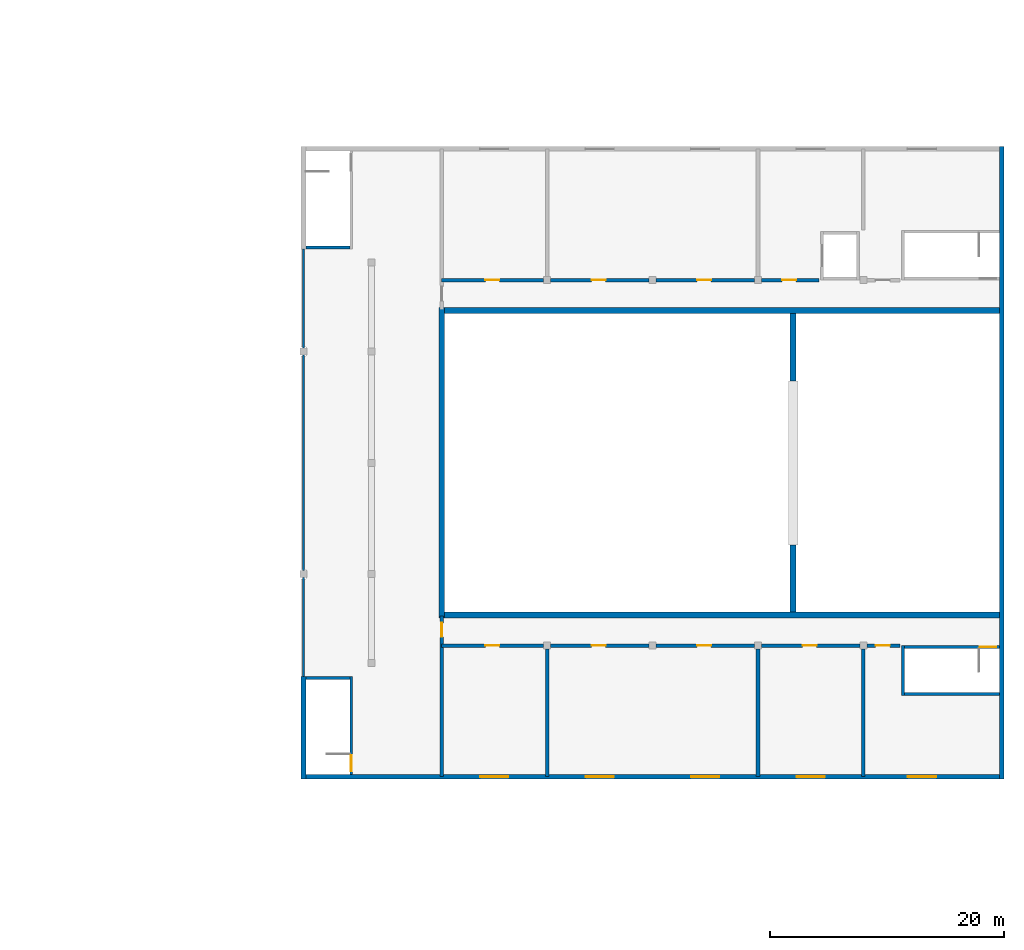
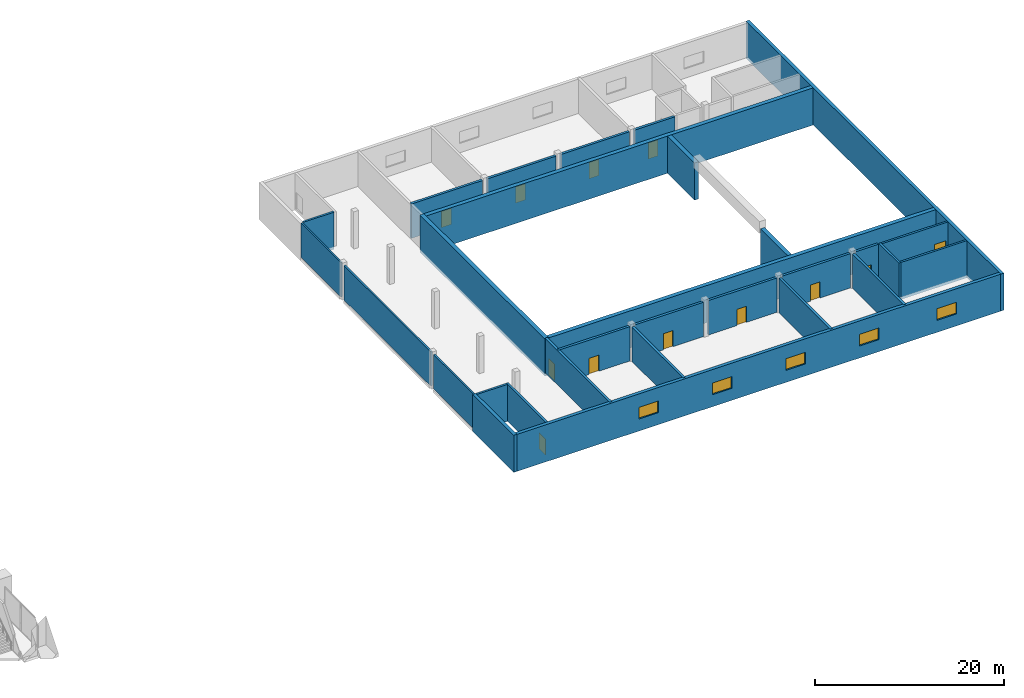
# One storey, part 19 of 31: 30 walls, 12 doors, 5 windows, 17 openings.
"""IFC4 building model written with IfcOpenShell, lengths in metres."""

from ifc_helpers import new_model, si_unit, direction, frame, frame_2d, origin, place, context, subcontext, project, spatial, rectangle, extrude, material, layer, layer_set, type_object, element, fill, save


model = new_model("IFC4")

# Units and contexts
model_context = context("Model", 3, precision=1e-05, world=origin(), true_north=direction((0.0, 1.0)))
body_context = subcontext(model_context, "Body", "Model", "MODEL_VIEW")
ifc_project = project(units=[si_unit("LENGTHUNIT", "METRE"), si_unit("AREAUNIT", "SQUARE_METRE"), si_unit("VOLUMEUNIT", "CUBIC_METRE"), si_unit("PLANEANGLEUNIT", "RADIAN"), si_unit("MASSUNIT", "GRAM", prefix="KILO")], contexts=[model_context])

# Site, building, storey
site_placement = place(None, origin())
site = spatial("IfcSite", under=ifc_project, at=site_placement, CompositionType="ELEMENT")
building_placement = place(site_placement, origin())
building = spatial("IfcBuilding", under=site, at=building_placement, Name="Hunhe Ridgeline Campus", CompositionType="ELEMENT")
storey_placement = place(building_placement, frame((0.0, 0.0, 16.800048828125)))
storey = spatial("IfcBuildingStorey", under=building, at=storey_placement, Name="L03", CompositionType="ELEMENT", Elevation=16.800048828125)

# Walls
ifc_material_1 = material(Name="Concrete C50", Category="concrete")
ifc_layer_1 = layer(ifc_material_1, 0.5)
ifc_layer_set_1 = layer_set([ifc_layer_1], Name="Auditorium RC wall 500 C50")
wall_type_1 = type_object("IfcWallType", Name="Auditorium RC wall 500 C50", PredefinedType="SOLIDWALL", material=ifc_layer_set_1)
wall_1_placement = place(storey_placement, frame((162.0, 36.25, -0.35009765625), z_axis=(0.0, 0.0, 1.0), x_axis=(0.0, 1.0, 0.0)))
element("IfcWall", 1, at=wall_1_placement, inside=storey, type_object=wall_type_1, Name="Auditorium RC wall L03", PredefinedType="SOLIDWALL", context=body_context, shape_type="SweptSolid", body=[
    extrude(rectangle(XDim=26.5, YDim=0.5, at=frame_2d((13.25, 0.0))), origin(), (0.0, 0.0, 1.0), 4.800048828125),
])
for number, where, z_axis, x_axis, name in (
    (2, (209.60009765625, 36.5, -0.35009765625), (0.0, 0.0, 1.0), (-1.0, 0.0, 0.0), "Auditorium RC wall L03"),
    (3, (162.25, 62.5, -0.35009765625), (0.0, 0.0, 1.0), (1.0, 0.0, 0.0), "Auditorium RC wall L03"),
):
    element("IfcWall", number, at=place(storey_placement, frame(where, z_axis=z_axis, x_axis=x_axis)), inside=storey, type_object=wall_type_1, Name=name, PredefinedType="SOLIDWALL", context=body_context, shape_type="SweptSolid", body=[
        extrude(rectangle(XDim=47.35009765625, YDim=0.5, at=frame_2d((23.675048828125, 0.0))), origin(), (0.0, 0.0, 1.0), 4.800048828125),
    ])
for number, where, z_axis, x_axis, name in (
    (4, (192.0, 36.75, -0.35009765625), (0.0, 0.0, 1.0), (0.0, 1.0, 0.0), "Auditorium RC wall L03"),
    (5, (192.0, 56.5, -0.35009765625), (0.0, 0.0, 1.0), (0.0, 1.0, 0.0), "Auditorium RC wall L03"),
):
    element("IfcWall", number, at=place(storey_placement, frame(where, z_axis=z_axis, x_axis=x_axis)), inside=storey, type_object=wall_type_1, Name=name, PredefinedType="SOLIDWALL", context=body_context, shape_type="SweptSolid", body=[
        extrude(rectangle(XDim=5.75, YDim=0.5, at=frame_2d((2.875, 0.0))), origin(), (0.0, 0.0, 1.0), 4.800048828125),
    ])

# Wall, opening, door
ifc_material_2 = material(Name="Plastered blockwork", Category="masonry")
ifc_layer_2 = layer(ifc_material_2, 0.300048828125)
ifc_layer_set_2 = layer_set([ifc_layer_2], Name="Hall blockwork partition 300")
wall_type_2 = type_object("IfcWallType", Name="Hall blockwork partition 300", PredefinedType="PARTITIONING", material=ifc_layer_set_2)
wall_2_placement = place(storey_placement, frame((162.0, 22.72998046875, 0.0), z_axis=(0.0, 0.0, 1.0), x_axis=(0.0, 1.0, 0.0)))
wall_2 = element("IfcWall", 6, at=wall_2_placement, inside=storey, type_object=wall_type_2, Name="L03 partition", PredefinedType="PARTITIONING", context=body_context, shape_type="SweptSolid", body=[
    extrude(rectangle(XDim=13.68994140625, YDim=0.300048828125, at=frame_2d((6.844970703125, 0.0))), origin(), (0.0, 0.0, 1.0), 4.449951171875),
])
opening_1_placement = place(wall_2_placement, frame((11.89990234375, 0.0, 0.0)))
opening_1 = element("IfcOpeningElement", 7, at=opening_1_placement, cuts=wall_2, Name="Opening HD45", PredefinedType="OPENING", context=body_context, shape_type="SweptSolid", body=[
    extrude(rectangle(XDim=1.199951171875, YDim=2.10009765625, at=frame_2d((0.60009765625, 1.050048828125))), frame((0.0, 0.14990234375, 0.0), z_axis=(0.0, -1.0, 0.0), x_axis=(1.0, 0.0, 0.0)), (0.0, 0.0, 1.0), 0.300048828125),
])
ifc_material_3 = material(Name="Steel Q235", Category="steel")
door_type_1 = type_object("IfcDoorType", Name="Hall fire door 1200x2100 FD60", OperationType="NOTDEFINED", PredefinedType="DOOR", material=ifc_material_3)
door_1_placement = place(opening_1_placement, origin())
door_1 = element("IfcDoor", 8, at=door_1_placement, inside=storey, type_object=door_type_1, Name="Foyer plant room door", OperationType="SINGLE_SWING_RIGHT", OverallHeight=2.10009765625, OverallWidth=1.199951171875, PredefinedType="DOOR", context=body_context, shape_type="SweptSolid", body=[
    extrude(rectangle(XDim=1.199951171875, YDim=2.10009765625, at=frame_2d((0.60009765625, 1.050048828125))), frame((0.0, 0.02490234375, 0.0), z_axis=(0.0, -1.0, 0.0), x_axis=(1.0, 0.0, 0.0)), (0.0, 0.0, 1.0), 0.050048828125),
])
fill(opening_1, door_1)

# Wall
wall_3_placement = place(storey_placement, frame((171.0, 22.72998046875, 0.0), z_axis=(0.0, 0.0, 1.0), x_axis=(0.0, 1.0, 0.0)))
element("IfcWall", 9, at=wall_3_placement, inside=storey, type_object=wall_type_2, Name="L03 partition", PredefinedType="PARTITIONING", context=body_context, shape_type="SweptSolid", body=[
    extrude(rectangle(XDim=10.8701171875, YDim=0.300048828125, at=frame_2d((5.43505859375, 0.0))), origin(), (0.0, 0.0, 1.0), 4.449951171875),
])

# Wall, opening, door
wall_4_placement = place(storey_placement, frame((161.97998046875, 33.89990234375, 0.0), z_axis=(0.0, 0.0, 1.0), x_axis=(1.0, 0.0, 0.0)))
wall_4 = element("IfcWall", 10, at=wall_4_placement, inside=storey, type_object=wall_type_2, Name="L03 partition", PredefinedType="PARTITIONING", context=body_context, shape_type="SweptSolid", body=[
    extrude(rectangle(XDim=8.719970703125, YDim=0.300048828125, at=frame_2d((4.35986328125, 0.0))), origin(), (0.0, 0.0, 1.0), 4.449951171875),
])
opening_2_placement = place(wall_4_placement, frame((3.75, 0.0, 0.0)))
opening_2 = element("IfcOpeningElement", 11, at=opening_2_placement, cuts=wall_4, Name="Opening HD47", PredefinedType="OPENING", context=body_context, shape_type="SweptSolid", body=[
    extrude(rectangle(XDim=1.199951171875, YDim=2.10009765625, at=frame_2d((0.60009765625, 1.050048828125))), frame((0.0, 0.14990234375, 0.0), z_axis=(0.0, -1.0, 0.0), x_axis=(1.0, 0.0, 0.0)), (0.0, 0.0, 1.0), 0.300048828125),
])
door_2_placement = place(opening_2_placement, origin())
door_2 = element("IfcDoor", 12, at=door_2_placement, inside=storey, type_object=door_type_1, Name="Air handling plant room door", OperationType="SINGLE_SWING_LEFT", OverallHeight=2.10009765625, OverallWidth=1.199951171875, PredefinedType="DOOR", context=body_context, shape_type="SweptSolid", body=[
    extrude(rectangle(XDim=1.199951171875, YDim=2.10009765625, at=frame_2d((0.60009765625, 1.050048828125))), frame((0.0, 0.02490234375, 0.0), z_axis=(0.0, -1.0, 0.0), x_axis=(1.0, 0.0, 0.0)), (0.0, 0.0, 1.0), 0.050048828125),
])
fill(opening_2, door_2)

wall_5_placement = place(storey_placement, frame((171.300048828125, 33.89990234375, 0.0), z_axis=(0.0, 0.0, 1.0), x_axis=(1.0, 0.0, 0.0)))
wall_5 = element("IfcWall", 13, at=wall_5_placement, inside=storey, type_object=wall_type_2, Name="L03 partition", PredefinedType="PARTITIONING", context=body_context, shape_type="SweptSolid", body=[
    extrude(rectangle(XDim=8.39990234375, YDim=0.300048828125, at=frame_2d((4.199951171875, 0.0))), origin(), (0.0, 0.0, 1.0), 4.449951171875),
])
opening_3_placement = place(wall_5_placement, frame((3.5, 0.0, 0.0)))
opening_3 = element("IfcOpeningElement", 14, at=opening_3_placement, cuts=wall_5, Name="Opening HD48", PredefinedType="OPENING", context=body_context, shape_type="SweptSolid", body=[
    extrude(rectangle(XDim=1.199951171875, YDim=2.10009765625, at=frame_2d((0.60009765625, 1.050048828125))), frame((0.0, 0.14990234375, 0.0), z_axis=(0.0, -1.0, 0.0), x_axis=(1.0, 0.0, 0.0)), (0.0, 0.0, 1.0), 0.300048828125),
])
door_3_placement = place(opening_3_placement, origin())
door_3 = element("IfcDoor", 15, at=door_3_placement, inside=storey, type_object=door_type_1, Name="Boiler and chiller plant room door", OperationType="SINGLE_SWING_LEFT", OverallHeight=2.10009765625, OverallWidth=1.199951171875, PredefinedType="DOOR", context=body_context, shape_type="SweptSolid", body=[
    extrude(rectangle(XDim=1.199951171875, YDim=2.10009765625, at=frame_2d((0.60009765625, 1.050048828125))), frame((0.0, 0.02490234375, 0.0), z_axis=(0.0, -1.0, 0.0), x_axis=(1.0, 0.0, 0.0)), (0.0, 0.0, 1.0), 0.050048828125),
])
fill(opening_3, door_3)

wall_6_placement = place(storey_placement, frame((180.300048828125, 33.89990234375, 0.0), z_axis=(0.0, 0.0, 1.0), x_axis=(1.0, 0.0, 0.0)))
wall_6 = element("IfcWall", 16, at=wall_6_placement, inside=storey, type_object=wall_type_2, Name="L03 partition", PredefinedType="PARTITIONING", context=body_context, shape_type="SweptSolid", body=[
    extrude(rectangle(XDim=8.39990234375, YDim=0.300048828125, at=frame_2d((4.199951171875, 0.0))), origin(), (0.0, 0.0, 1.0), 4.449951171875),
])
opening_4_placement = place(wall_6_placement, frame((3.5, 0.0, 0.0)))
opening_4 = element("IfcOpeningElement", 17, at=opening_4_placement, cuts=wall_6, Name="Opening HD49", PredefinedType="OPENING", context=body_context, shape_type="SweptSolid", body=[
    extrude(rectangle(XDim=1.199951171875, YDim=2.10009765625, at=frame_2d((0.60009765625, 1.050048828125))), frame((0.0, 0.14990234375, 0.0), z_axis=(0.0, -1.0, 0.0), x_axis=(1.0, 0.0, 0.0)), (0.0, 0.0, 1.0), 0.300048828125),
])
door_4_placement = place(opening_4_placement, origin())
door_4 = element("IfcDoor", 18, at=door_4_placement, inside=storey, type_object=door_type_1, Name="Boiler and chiller plant room door", OperationType="SINGLE_SWING_LEFT", OverallHeight=2.10009765625, OverallWidth=1.199951171875, PredefinedType="DOOR", context=body_context, shape_type="SweptSolid", body=[
    extrude(rectangle(XDim=1.199951171875, YDim=2.10009765625, at=frame_2d((0.60009765625, 1.050048828125))), frame((0.0, 0.02490234375, 0.0), z_axis=(0.0, -1.0, 0.0), x_axis=(1.0, 0.0, 0.0)), (0.0, 0.0, 1.0), 0.050048828125),
])
fill(opening_4, door_4)

wall_7_placement = place(storey_placement, frame((189.300048828125, 33.89990234375, 0.0), z_axis=(0.0, 0.0, 1.0), x_axis=(1.0, 0.0, 0.0)))
wall_7 = element("IfcWall", 19, at=wall_7_placement, inside=storey, type_object=wall_type_2, Name="L03 partition", PredefinedType="PARTITIONING", context=body_context, shape_type="SweptSolid", body=[
    extrude(rectangle(XDim=8.39990234375, YDim=0.300048828125, at=frame_2d((4.199951171875, 0.0))), origin(), (0.0, 0.0, 1.0), 4.449951171875),
])
opening_5_placement = place(wall_7_placement, frame((3.5, 0.0, 0.0)))
opening_5 = element("IfcOpeningElement", 20, at=opening_5_placement, cuts=wall_7, Name="Opening HD50", PredefinedType="OPENING", context=body_context, shape_type="SweptSolid", body=[
    extrude(rectangle(XDim=1.199951171875, YDim=2.10009765625, at=frame_2d((0.60009765625, 1.050048828125))), frame((0.0, 0.14990234375, 0.0), z_axis=(0.0, -1.0, 0.0), x_axis=(1.0, 0.0, 0.0)), (0.0, 0.0, 1.0), 0.300048828125),
])
door_5_placement = place(opening_5_placement, origin())
door_5 = element("IfcDoor", 21, at=door_5_placement, inside=storey, type_object=door_type_1, Name="Electrical switch room door", OperationType="SINGLE_SWING_LEFT", OverallHeight=2.10009765625, OverallWidth=1.199951171875, PredefinedType="DOOR", context=body_context, shape_type="SweptSolid", body=[
    extrude(rectangle(XDim=1.199951171875, YDim=2.10009765625, at=frame_2d((0.60009765625, 1.050048828125))), frame((0.0, 0.02490234375, 0.0), z_axis=(0.0, -1.0, 0.0), x_axis=(1.0, 0.0, 0.0)), (0.0, 0.0, 1.0), 0.050048828125),
])
fill(opening_5, door_5)

wall_8_placement = place(storey_placement, frame((198.300048828125, 33.89990234375, 0.0), z_axis=(0.0, 0.0, 1.0), x_axis=(1.0, 0.0, 0.0)))
wall_8 = element("IfcWall", 22, at=wall_8_placement, inside=storey, type_object=wall_type_2, Name="L03 partition", PredefinedType="PARTITIONING", context=body_context, shape_type="SweptSolid", body=[
    extrude(rectangle(XDim=2.820068359375, YDim=0.300048828125, at=frame_2d((1.41015625, 0.0))), origin(), (0.0, 0.0, 1.0), 4.449951171875),
])
opening_6_placement = place(wall_8_placement, frame((0.75, 0.0, 0.0)))
opening_6 = element("IfcOpeningElement", 23, at=opening_6_placement, cuts=wall_8, Name="Opening HD51", PredefinedType="OPENING", context=body_context, shape_type="SweptSolid", body=[
    extrude(rectangle(XDim=1.199951171875, YDim=2.10009765625, at=frame_2d((0.60009765625, 1.050048828125))), frame((0.0, 0.14990234375, 0.0), z_axis=(0.0, -1.0, 0.0), x_axis=(1.0, 0.0, 0.0)), (0.0, 0.0, 1.0), 0.300048828125),
])
door_6_placement = place(opening_6_placement, origin())
door_6 = element("IfcDoor", 24, at=door_6_placement, inside=storey, type_object=door_type_1, Name="Smoke extract plant room door", OperationType="SINGLE_SWING_LEFT", OverallHeight=2.10009765625, OverallWidth=1.199951171875, PredefinedType="DOOR", context=body_context, shape_type="SweptSolid", body=[
    extrude(rectangle(XDim=1.199951171875, YDim=2.10009765625, at=frame_2d((0.60009765625, 1.050048828125))), frame((0.0, 0.02490234375, 0.0), z_axis=(0.0, -1.0, 0.0), x_axis=(1.0, 0.0, 0.0)), (0.0, 0.0, 1.0), 0.050048828125),
])
fill(opening_6, door_6)

# Walls
for number, where, z_axis, x_axis, name in (
    (25, (189.0, 22.72998046875, 0.0), (0.0, 0.0, 1.0), (0.0, 1.0, 0.0), "L03 partition"),
    (26, (198.0, 22.72998046875, 0.0), (0.0, 0.0, 1.0), (0.0, 1.0, 0.0), "L03 partition"),
):
    element("IfcWall", number, at=place(storey_placement, frame(where, z_axis=z_axis, x_axis=x_axis)), inside=storey, type_object=wall_type_2, Name=name, PredefinedType="PARTITIONING", context=body_context, shape_type="SweptSolid", body=[
        extrude(rectangle(XDim=10.8701171875, YDim=0.300048828125, at=frame_2d((5.43505859375, 0.0))), origin(), (0.0, 0.0, 1.0), 4.449951171875),
    ])

# Wall, opening, door
wall_9_placement = place(storey_placement, frame((170.699951171875, 65.10009765625, 0.0), z_axis=(0.0, 0.0, 1.0), x_axis=(-1.0, 0.0, 0.0)))
wall_9 = element("IfcWall", 27, at=wall_9_placement, inside=storey, type_object=wall_type_2, Name="L03 partition", PredefinedType="PARTITIONING", context=body_context, shape_type="SweptSolid", body=[
    extrude(rectangle(XDim=8.719970703125, YDim=0.300048828125, at=frame_2d((4.35986328125, 0.0))), origin(), (0.0, 0.0, 1.0), 4.449951171875),
])
opening_7_placement = place(wall_9_placement, frame((3.77001953125, 0.0, 0.0)))
opening_7 = element("IfcOpeningElement", 28, at=opening_7_placement, cuts=wall_9, Name="Opening HD52", PredefinedType="OPENING", context=body_context, shape_type="SweptSolid", body=[
    extrude(rectangle(XDim=1.199951171875, YDim=2.10009765625, at=frame_2d((0.60009765625, 1.050048828125))), frame((0.0, 0.14990234375, 0.0), z_axis=(0.0, -1.0, 0.0), x_axis=(1.0, 0.0, 0.0)), (0.0, 0.0, 1.0), 0.300048828125),
])
door_7_placement = place(opening_7_placement, origin())
door_7 = element("IfcDoor", 29, at=door_7_placement, inside=storey, type_object=door_type_1, Name="Auditorium ventilation plant room door", OperationType="SINGLE_SWING_RIGHT", OverallHeight=2.10009765625, OverallWidth=1.199951171875, PredefinedType="DOOR", context=body_context, shape_type="SweptSolid", body=[
    extrude(rectangle(XDim=1.199951171875, YDim=2.10009765625, at=frame_2d((0.60009765625, 1.050048828125))), frame((0.0, 0.02490234375, 0.0), z_axis=(0.0, -1.0, 0.0), x_axis=(1.0, 0.0, 0.0)), (0.0, 0.0, 1.0), 0.050048828125),
])
fill(opening_7, door_7)

wall_10_placement = place(storey_placement, frame((179.699951171875, 65.10009765625, 0.0), z_axis=(0.0, 0.0, 1.0), x_axis=(-1.0, 0.0, 0.0)))
wall_10 = element("IfcWall", 30, at=wall_10_placement, inside=storey, type_object=wall_type_2, Name="L03 partition", PredefinedType="PARTITIONING", context=body_context, shape_type="SweptSolid", body=[
    extrude(rectangle(XDim=8.39990234375, YDim=0.300048828125, at=frame_2d((4.199951171875, 0.0))), origin(), (0.0, 0.0, 1.0), 4.449951171875),
])
opening_8_placement = place(wall_10_placement, frame((3.699951171875, 0.0, 0.0)))
opening_8 = element("IfcOpeningElement", 31, at=opening_8_placement, cuts=wall_10, Name="Opening HD53", PredefinedType="OPENING", context=body_context, shape_type="SweptSolid", body=[
    extrude(rectangle(XDim=1.199951171875, YDim=2.10009765625, at=frame_2d((0.60009765625, 1.050048828125))), frame((0.0, 0.14990234375, 0.0), z_axis=(0.0, -1.0, 0.0), x_axis=(1.0, 0.0, 0.0)), (0.0, 0.0, 1.0), 0.300048828125),
])
door_8_placement = place(opening_8_placement, origin())
door_8 = element("IfcDoor", 32, at=door_8_placement, inside=storey, type_object=door_type_1, Name="Fan and ductwork plant room door", OperationType="SINGLE_SWING_RIGHT", OverallHeight=2.10009765625, OverallWidth=1.199951171875, PredefinedType="DOOR", context=body_context, shape_type="SweptSolid", body=[
    extrude(rectangle(XDim=1.199951171875, YDim=2.10009765625, at=frame_2d((0.60009765625, 1.050048828125))), frame((0.0, 0.02490234375, 0.0), z_axis=(0.0, -1.0, 0.0), x_axis=(1.0, 0.0, 0.0)), (0.0, 0.0, 1.0), 0.050048828125),
])
fill(opening_8, door_8)

wall_11_placement = place(storey_placement, frame((188.699951171875, 65.10009765625, 0.0), z_axis=(0.0, 0.0, 1.0), x_axis=(-1.0, 0.0, 0.0)))
wall_11 = element("IfcWall", 33, at=wall_11_placement, inside=storey, type_object=wall_type_2, Name="L03 partition", PredefinedType="PARTITIONING", context=body_context, shape_type="SweptSolid", body=[
    extrude(rectangle(XDim=8.39990234375, YDim=0.300048828125, at=frame_2d((4.199951171875, 0.0))), origin(), (0.0, 0.0, 1.0), 4.449951171875),
])
opening_9_placement = place(wall_11_placement, frame((3.699951171875, 0.0, 0.0)))
opening_9 = element("IfcOpeningElement", 34, at=opening_9_placement, cuts=wall_11, Name="Opening HD54", PredefinedType="OPENING", context=body_context, shape_type="SweptSolid", body=[
    extrude(rectangle(XDim=1.199951171875, YDim=2.10009765625, at=frame_2d((0.60009765625, 1.050048828125))), frame((0.0, 0.14990234375, 0.0), z_axis=(0.0, -1.0, 0.0), x_axis=(1.0, 0.0, 0.0)), (0.0, 0.0, 1.0), 0.300048828125),
])
door_9_placement = place(opening_9_placement, origin())
door_9 = element("IfcDoor", 35, at=door_9_placement, inside=storey, type_object=door_type_1, Name="Fan and ductwork plant room door", OperationType="SINGLE_SWING_RIGHT", OverallHeight=2.10009765625, OverallWidth=1.199951171875, PredefinedType="DOOR", context=body_context, shape_type="SweptSolid", body=[
    extrude(rectangle(XDim=1.199951171875, YDim=2.10009765625, at=frame_2d((0.60009765625, 1.050048828125))), frame((0.0, 0.02490234375, 0.0), z_axis=(0.0, -1.0, 0.0), x_axis=(1.0, 0.0, 0.0)), (0.0, 0.0, 1.0), 0.050048828125),
])
fill(opening_9, door_9)

wall_12_placement = place(storey_placement, frame((194.219970703125, 65.10009765625, 0.0), z_axis=(0.0, 0.0, 1.0), x_axis=(-1.0, 0.0, 0.0)))
wall_12 = element("IfcWall", 36, at=wall_12_placement, inside=storey, type_object=wall_type_2, Name="L03 partition", PredefinedType="PARTITIONING", context=body_context, shape_type="SweptSolid", body=[
    extrude(rectangle(XDim=4.919921875, YDim=0.300048828125, at=frame_2d((2.4599609375, 0.0))), origin(), (0.0, 0.0, 1.0), 4.449951171875),
])
opening_10_placement = place(wall_12_placement, frame((1.969970703125, 0.0, 0.0)))
opening_10 = element("IfcOpeningElement", 37, at=opening_10_placement, cuts=wall_12, Name="Opening HD55", PredefinedType="OPENING", context=body_context, shape_type="SweptSolid", body=[
    extrude(rectangle(XDim=1.199951171875, YDim=2.10009765625, at=frame_2d((0.60009765625, 1.050048828125))), frame((0.0, 0.14990234375, 0.0), z_axis=(0.0, -1.0, 0.0), x_axis=(1.0, 0.0, 0.0)), (0.0, 0.0, 1.0), 0.300048828125),
])
door_10_placement = place(opening_10_placement, origin())
door_10 = element("IfcDoor", 38, at=door_10_placement, inside=storey, type_object=door_type_1, Name="Stage lighting dimmer room door", OperationType="SINGLE_SWING_RIGHT", OverallHeight=2.10009765625, OverallWidth=1.199951171875, PredefinedType="DOOR", context=body_context, shape_type="SweptSolid", body=[
    extrude(rectangle(XDim=1.199951171875, YDim=2.10009765625, at=frame_2d((0.60009765625, 1.050048828125))), frame((0.0, 0.02490234375, 0.0), z_axis=(0.0, -1.0, 0.0), x_axis=(1.0, 0.0, 0.0)), (0.0, 0.0, 1.0), 0.050048828125),
])
fill(opening_10, door_10)

# Walls
ifc_material_4 = material(Name="Concrete C40", Category="concrete")
ifc_layer_3 = layer(ifc_material_4, 0.39990234375)
ifc_layer_set_3 = layer_set([ifc_layer_3], Name="Hall external RC wall 400 C40")
wall_type_3 = type_object("IfcWallType", Name="Hall external RC wall 400 C40", PredefinedType="SOLIDWALL", material=ifc_layer_set_3)
wall_13_placement = place(storey_placement, frame((150.199951171875, 22.5, -0.35009765625), z_axis=(0.0, 0.0, 1.0), x_axis=(0.0, 1.0, 0.0)))
element("IfcWall", 39, at=wall_13_placement, inside=storey, type_object=wall_type_3, Name="Hall L03 west wall 1", PredefinedType="SOLIDWALL", context=body_context, shape_type="SweptSolid", body=[
    extrude(rectangle(XDim=8.75, YDim=0.39990234375, at=frame_2d((4.375, 0.0))), origin(), (0.0, 0.0, 1.0), 4.800048828125),
])
wall_14_placement = place(storey_placement, frame((209.800048828125, 76.5, -0.35009765625), z_axis=(0.0, 0.0, 1.0), x_axis=(0.0, -1.0, 0.0)))
element("IfcWall", 40, at=wall_14_placement, inside=storey, type_object=wall_type_3, Name="Hall L03 east wall", PredefinedType="SOLIDWALL", context=body_context, shape_type="SweptSolid", body=[
    extrude(rectangle(XDim=54.0, YDim=0.39990234375, at=frame_2d((27.0, 0.0))), origin(), (0.0, 0.0, 1.0), 4.800048828125),
])

# Wall, openings, windows
wall_15_placement = place(storey_placement, frame((209.60009765625, 22.699951171875, -0.35009765625), z_axis=(0.0, 0.0, 1.0), x_axis=(-1.0, 0.0, 0.0)))
wall_15 = element("IfcWall", 41, at=wall_15_placement, inside=storey, type_object=wall_type_3, Name="Hall L03 south wall", PredefinedType="SOLIDWALL", context=body_context, shape_type="SweptSolid", body=[
    extrude(rectangle(XDim=59.2001953125, YDim=0.39990234375, at=frame_2d((29.60009765625, 0.0))), origin(), (0.0, 0.0, 1.0), 4.800048828125),
])
opening_11_placement = place(wall_15_placement, frame((41.89990234375, 0.0, 1.550048828125)))
opening_11 = element("IfcOpeningElement", 42, at=opening_11_placement, cuts=wall_15, Name="Opening HWN33", PredefinedType="OPENING", context=body_context, shape_type="SweptSolid", body=[
    extrude(rectangle(XDim=2.39990234375, YDim=1.5, at=frame_2d((1.199951171875, 0.75))), frame((0.0, 0.199951171875, 0.0), z_axis=(0.0, -1.0, 0.0), x_axis=(1.0, 0.0, 0.0)), (0.0, 0.0, 1.0), 0.39990234375),
])
opening_12_placement = place(wall_15_placement, frame((32.89990234375, 0.0, 1.550048828125)))
opening_12 = element("IfcOpeningElement", 43, at=opening_12_placement, cuts=wall_15, Name="Opening HWN34", PredefinedType="OPENING", context=body_context, shape_type="SweptSolid", body=[
    extrude(rectangle(XDim=2.39990234375, YDim=1.5, at=frame_2d((1.199951171875, 0.75))), frame((0.0, 0.199951171875, 0.0), z_axis=(0.0, -1.0, 0.0), x_axis=(1.0, 0.0, 0.0)), (0.0, 0.0, 1.0), 0.39990234375),
])
opening_13_placement = place(wall_15_placement, frame((23.89990234375, 0.0, 1.550048828125)))
opening_13 = element("IfcOpeningElement", 44, at=opening_13_placement, cuts=wall_15, Name="Opening HWN35", PredefinedType="OPENING", context=body_context, shape_type="SweptSolid", body=[
    extrude(rectangle(XDim=2.39990234375, YDim=1.5, at=frame_2d((1.199951171875, 0.75))), frame((0.0, 0.199951171875, 0.0), z_axis=(0.0, -1.0, 0.0), x_axis=(1.0, 0.0, 0.0)), (0.0, 0.0, 1.0), 0.39990234375),
])
opening_14_placement = place(wall_15_placement, frame((14.89990234375, 0.0, 1.550048828125)))
opening_14 = element("IfcOpeningElement", 45, at=opening_14_placement, cuts=wall_15, Name="Opening HWN36", PredefinedType="OPENING", context=body_context, shape_type="SweptSolid", body=[
    extrude(rectangle(XDim=2.39990234375, YDim=1.5, at=frame_2d((1.199951171875, 0.75))), frame((0.0, 0.199951171875, 0.0), z_axis=(0.0, -1.0, 0.0), x_axis=(1.0, 0.0, 0.0)), (0.0, 0.0, 1.0), 0.39990234375),
])
opening_15_placement = place(wall_15_placement, frame((5.39990234375, 0.0, 1.550048828125)))
opening_15 = element("IfcOpeningElement", 46, at=opening_15_placement, cuts=wall_15, Name="Opening HWN37", PredefinedType="OPENING", context=body_context, shape_type="SweptSolid", body=[
    extrude(rectangle(XDim=2.39990234375, YDim=1.5, at=frame_2d((1.199951171875, 0.75))), frame((0.0, 0.199951171875, 0.0), z_axis=(0.0, -1.0, 0.0), x_axis=(1.0, 0.0, 0.0)), (0.0, 0.0, 1.0), 0.39990234375),
])
ifc_material_5 = material(Name="Anodised aluminium louvre", Category="aluminium")
window_type = type_object("IfcWindowType", Name="Hall plant louvre 2400x1500", PartitioningType="SINGLE_PANEL", PredefinedType="WINDOW", material=ifc_material_5)
window_1_placement = place(opening_11_placement, origin())
window_1 = element("IfcWindow", 47, at=window_1_placement, inside=storey, type_object=window_type, Name="L03 plant louvre", OverallHeight=1.5, OverallWidth=2.39990234375, PartitioningType="SINGLE_PANEL", PredefinedType="WINDOW", context=body_context, shape_type="SweptSolid", body=[
    extrude(rectangle(XDim=2.39990234375, YDim=1.5, at=frame_2d((1.199951171875, 0.75))), frame((0.0, 0.030029296875, 0.0), z_axis=(0.0, -1.0, 0.0), x_axis=(1.0, 0.0, 0.0)), (0.0, 0.0, 1.0), 0.06005859375),
])
fill(opening_11, window_1)
window_2_placement = place(opening_12_placement, origin())
window_2 = element("IfcWindow", 48, at=window_2_placement, inside=storey, type_object=window_type, Name="L03 plant louvre", OverallHeight=1.5, OverallWidth=2.39990234375, PartitioningType="SINGLE_PANEL", PredefinedType="WINDOW", context=body_context, shape_type="SweptSolid", body=[
    extrude(rectangle(XDim=2.39990234375, YDim=1.5, at=frame_2d((1.199951171875, 0.75))), frame((0.0, 0.030029296875, 0.0), z_axis=(0.0, -1.0, 0.0), x_axis=(1.0, 0.0, 0.0)), (0.0, 0.0, 1.0), 0.06005859375),
])
fill(opening_12, window_2)
window_3_placement = place(opening_13_placement, origin())
window_3 = element("IfcWindow", 49, at=window_3_placement, inside=storey, type_object=window_type, Name="L03 plant louvre", OverallHeight=1.5, OverallWidth=2.39990234375, PartitioningType="SINGLE_PANEL", PredefinedType="WINDOW", context=body_context, shape_type="SweptSolid", body=[
    extrude(rectangle(XDim=2.39990234375, YDim=1.5, at=frame_2d((1.199951171875, 0.75))), frame((0.0, 0.030029296875, 0.0), z_axis=(0.0, -1.0, 0.0), x_axis=(1.0, 0.0, 0.0)), (0.0, 0.0, 1.0), 0.06005859375),
])
fill(opening_13, window_3)
window_4_placement = place(opening_14_placement, origin())
window_4 = element("IfcWindow", 50, at=window_4_placement, inside=storey, type_object=window_type, Name="L03 plant louvre", OverallHeight=1.5, OverallWidth=2.39990234375, PartitioningType="SINGLE_PANEL", PredefinedType="WINDOW", context=body_context, shape_type="SweptSolid", body=[
    extrude(rectangle(XDim=2.39990234375, YDim=1.5, at=frame_2d((1.199951171875, 0.75))), frame((0.0, 0.030029296875, 0.0), z_axis=(0.0, -1.0, 0.0), x_axis=(1.0, 0.0, 0.0)), (0.0, 0.0, 1.0), 0.06005859375),
])
fill(opening_14, window_4)
window_5_placement = place(opening_15_placement, origin())
window_5 = element("IfcWindow", 51, at=window_5_placement, inside=storey, type_object=window_type, Name="L03 plant louvre", OverallHeight=1.5, OverallWidth=2.39990234375, PartitioningType="SINGLE_PANEL", PredefinedType="WINDOW", context=body_context, shape_type="SweptSolid", body=[
    extrude(rectangle(XDim=2.39990234375, YDim=1.5, at=frame_2d((1.199951171875, 0.75))), frame((0.0, 0.030029296875, 0.0), z_axis=(0.0, -1.0, 0.0), x_axis=(1.0, 0.0, 0.0)), (0.0, 0.0, 1.0), 0.06005859375),
])
fill(opening_15, window_5)

# Wall, opening, door
ifc_layer_4 = layer(ifc_material_4, 0.25)
ifc_layer_set_4 = layer_set([ifc_layer_4], Name="Hall shaft wall 250 C40")
wall_type_4 = type_object("IfcWallType", Name="Hall shaft wall 250 C40", PredefinedType="SOLIDWALL", material=ifc_layer_set_4)
wall_16_placement = place(storey_placement, frame((154.27490234375, 31.25, -0.35009765625), z_axis=(0.0, 0.0, 1.0), x_axis=(0.0, -1.0, 0.0)))
wall_16 = element("IfcWall", 52, at=wall_16_placement, inside=storey, type_object=wall_type_4, Name="L03 stair HS1 shaft wall", PredefinedType="SOLIDWALL", context=body_context, shape_type="SweptSolid", body=[
    extrude(rectangle(XDim=8.35009765625, YDim=0.25, at=frame_2d((4.175048828125, 0.0))), origin(), (0.0, 0.0, 1.0), 4.800048828125),
])
opening_16_placement = place(wall_16_placement, frame((6.699951171875, 0.0, 0.35009765625)))
opening_16 = element("IfcOpeningElement", 53, at=opening_16_placement, cuts=wall_16, Name="Opening HD96", PredefinedType="OPENING", context=body_context, shape_type="SweptSolid", body=[
    extrude(rectangle(XDim=1.39990234375, YDim=2.10009765625, at=frame_2d((0.699951171875, 1.050048828125))), frame((0.0, 0.125, 0.0), z_axis=(0.0, -1.0, 0.0), x_axis=(1.0, 0.0, 0.0)), (0.0, 0.0, 1.0), 0.25),
])
door_type_2 = type_object("IfcDoorType", Name="Hall fire door 1400x2100 FD60", OperationType="NOTDEFINED", PredefinedType="DOOR", material=ifc_material_3)
door_11_placement = place(opening_16_placement, origin())
door_11 = element("IfcDoor", 54, at=door_11_placement, inside=storey, type_object=door_type_2, Name="L03 stair HS1 door", OperationType="SINGLE_SWING_LEFT", OverallHeight=2.10009765625, OverallWidth=1.39990234375, PredefinedType="DOOR", context=body_context, shape_type="SweptSolid", body=[
    extrude(rectangle(XDim=1.39990234375, YDim=2.10009765625, at=frame_2d((0.699951171875, 1.050048828125))), frame((0.0, 0.02490234375, 0.0), z_axis=(0.0, -1.0, 0.0), x_axis=(1.0, 0.0, 0.0)), (0.0, 0.0, 1.0), 0.050048828125),
])
fill(opening_16, door_11)

# Walls
for number, where, z_axis, x_axis, name in (
    (55, (150.39990234375, 31.125, -0.35009765625), (0.0, 0.0, 1.0), (1.0, 0.0, 0.0), "L03 stair HS1 shaft wall"),
    (56, (154.14990234375, 67.875, -0.35009765625), (0.0, 0.0, 1.0), (-1.0, 0.0, 0.0), "L03 stair HS2 shaft wall"),
):
    element("IfcWall", number, at=place(storey_placement, frame(where, z_axis=z_axis, x_axis=x_axis)), inside=storey, type_object=wall_type_4, Name=name, PredefinedType="SOLIDWALL", context=body_context, shape_type="SweptSolid", body=[
        extrude(rectangle(XDim=3.75, YDim=0.25, at=frame_2d((1.875, 0.0))), origin(), (0.0, 0.0, 1.0), 4.800048828125),
    ])
wall_17_placement = place(storey_placement, frame((201.375, 29.64990234375, -0.35009765625), z_axis=(0.0, 0.0, 1.0), x_axis=(0.0, 1.0, 0.0)))
element("IfcWall", 57, at=wall_17_placement, inside=storey, type_object=wall_type_4, Name="L03 stair HS3 shaft wall", PredefinedType="SOLIDWALL", context=body_context, shape_type="SweptSolid", body=[
    extrude(rectangle(XDim=4.25, YDim=0.25, at=frame_2d((2.125, 0.0))), origin(), (0.0, 0.0, 1.0), 4.800048828125),
])
wall_18_placement = place(storey_placement, frame((209.60009765625, 29.77490234375, -0.35009765625), z_axis=(0.0, 0.0, 1.0), x_axis=(-1.0, 0.0, 0.0)))
element("IfcWall", 58, at=wall_18_placement, inside=storey, type_object=wall_type_4, Name="L03 stair HS3 shaft wall", PredefinedType="SOLIDWALL", context=body_context, shape_type="SweptSolid", body=[
    extrude(rectangle(XDim=8.10009765625, YDim=0.25, at=frame_2d((4.050048828125, 0.0))), origin(), (0.0, 0.0, 1.0), 4.800048828125),
])

# Wall, opening, door
wall_19_placement = place(storey_placement, frame((201.5, 33.77490234375, -0.35009765625), z_axis=(0.0, 0.0, 1.0), x_axis=(1.0, 0.0, 0.0)))
wall_19 = element("IfcWall", 59, at=wall_19_placement, inside=storey, type_object=wall_type_4, Name="L03 stair HS3 shaft wall", PredefinedType="SOLIDWALL", context=body_context, shape_type="SweptSolid", body=[
    extrude(rectangle(XDim=8.10009765625, YDim=0.25, at=frame_2d((4.050048828125, 0.0))), origin(), (0.0, 0.0, 1.0), 4.800048828125),
])
opening_17_placement = place(wall_19_placement, frame((6.449951171875, 0.0, 0.35009765625)))
opening_17 = element("IfcOpeningElement", 60, at=opening_17_placement, cuts=wall_19, Name="Opening HD104", PredefinedType="OPENING", context=body_context, shape_type="SweptSolid", body=[
    extrude(rectangle(XDim=1.39990234375, YDim=2.10009765625, at=frame_2d((0.699951171875, 1.050048828125))), frame((0.0, 0.125, 0.0), z_axis=(0.0, -1.0, 0.0), x_axis=(1.0, 0.0, 0.0)), (0.0, 0.0, 1.0), 0.25),
])
door_12_placement = place(opening_17_placement, origin())
door_12 = element("IfcDoor", 61, at=door_12_placement, inside=storey, type_object=door_type_2, Name="L03 stair HS3 door", OperationType="SINGLE_SWING_LEFT", OverallHeight=2.10009765625, OverallWidth=1.39990234375, PredefinedType="DOOR", context=body_context, shape_type="SweptSolid", body=[
    extrude(rectangle(XDim=1.39990234375, YDim=2.10009765625, at=frame_2d((0.699951171875, 1.050048828125))), frame((0.0, 0.02490234375, 0.0), z_axis=(0.0, -1.0, 0.0), x_axis=(1.0, 0.0, 0.0)), (0.0, 0.0, 1.0), 0.050048828125),
])
fill(opening_17, door_12)

# Walls
ifc_material_6 = material(Name="Insulated metal panel")
ifc_layer_5 = layer(ifc_material_6, 0.199951171875)
ifc_layer_set_5 = layer_set([ifc_layer_5], Name="Insulated roof edge panel wall 200")
wall_type_5 = type_object("IfcWallType", Name="Insulated roof edge panel wall 200", PredefinedType="SOLIDWALL", material=ifc_layer_set_5)
wall_20_placement = place(storey_placement, frame((150.199951171875, 31.25, 0.0), z_axis=(0.0, 0.0, 1.0), x_axis=(0.0, 1.0, 0.0)))
element("IfcWall", 62, at=wall_20_placement, inside=storey, type_object=wall_type_5, Name="Hall L03 west panel wall", PredefinedType="SOLIDWALL", context=body_context, shape_type="SweptSolid", body=[
    extrude(rectangle(XDim=8.449951171875, YDim=0.199951171875, at=frame_2d((4.22509765625, 0.0))), origin(), (0.0, 0.0, 1.0), 4.449951171875),
])
wall_21_placement = place(storey_placement, frame((150.199951171875, 40.300048828125, 0.0), z_axis=(0.0, 0.0, 1.0), x_axis=(0.0, 1.0, 0.0)))
element("IfcWall", 63, at=wall_21_placement, inside=storey, type_object=wall_type_5, Name="Hall L03 west panel wall", PredefinedType="SOLIDWALL", context=body_context, shape_type="SweptSolid", body=[
    extrude(rectangle(XDim=18.39990234375, YDim=0.199951171875, at=frame_2d((9.199951171875, 0.0))), origin(), (0.0, 0.0, 1.0), 4.449951171875),
])
wall_22_placement = place(storey_placement, frame((150.199951171875, 59.300048828125, 0.0), z_axis=(0.0, 0.0, 1.0), x_axis=(0.0, 1.0, 0.0)))
element("IfcWall", 64, at=wall_22_placement, inside=storey, type_object=wall_type_5, Name="Hall L03 west panel wall", PredefinedType="SOLIDWALL", context=body_context, shape_type="SweptSolid", body=[
    extrude(rectangle(XDim=8.449951171875, YDim=0.199951171875, at=frame_2d((4.22509765625, 0.0))), origin(), (0.0, 0.0, 1.0), 4.449951171875),
])

save(model, "model.ifc")
